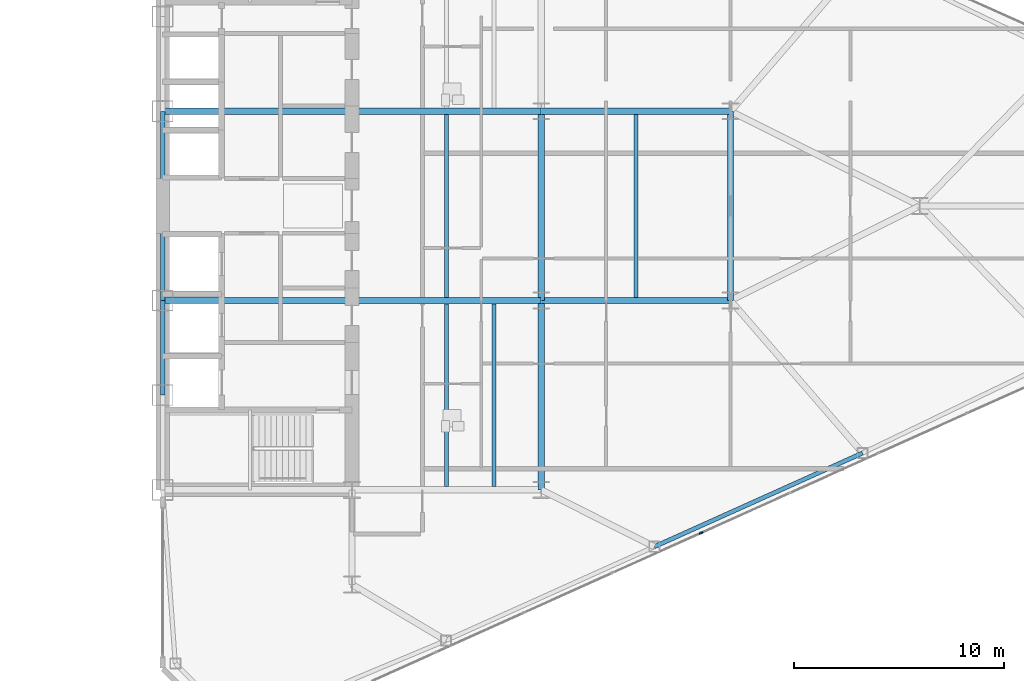
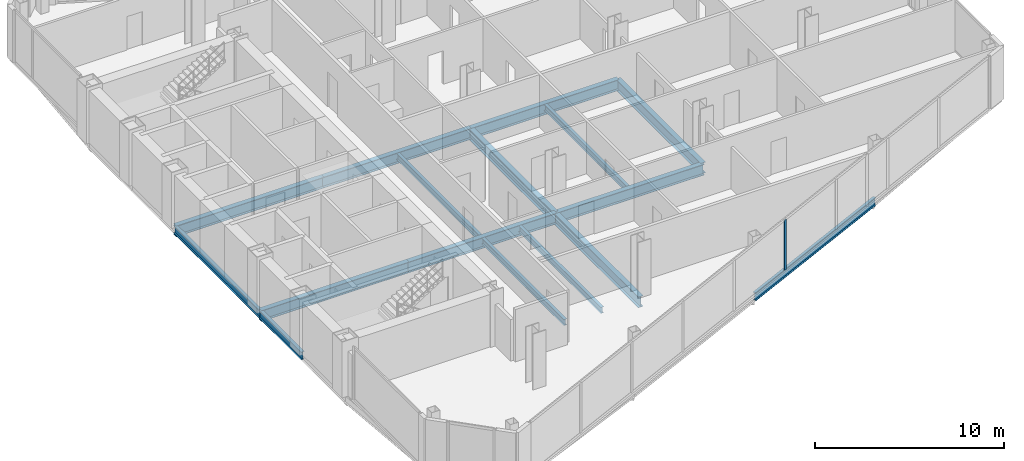
# One storey, part 12 of 27: 16 beams, 1 member, 1 element without a shape of its own.
"""IFC4 building model written with IfcOpenShell, lengths in metres."""

from ifc_helpers import new_model, si_unit, direction, frame, origin, origin_2d, place, context, subcontext, project, spatial, rectangle, i_section, extrude, source, transform, mapped, material, layer, layer_set, material_profile, profile_set, type_object, type_shapes, element, aggregate, save


model = new_model("IFC4")

# Units and contexts
model_context = context("Model", 3, precision=1e-05, world=origin(), true_north=direction((0.0, 1.0)))
body_context = subcontext(model_context, "Body", "Model", "MODEL_VIEW")
ifc_project = project(units=[si_unit("LENGTHUNIT", "METRE"), si_unit("AREAUNIT", "SQUARE_METRE"), si_unit("VOLUMEUNIT", "CUBIC_METRE"), si_unit("PLANEANGLEUNIT", "RADIAN"), si_unit("MASSUNIT", "GRAM", prefix="KILO")], contexts=[model_context])

# Site, building, storey
site_placement = place(None, origin())
site = spatial("IfcSite", under=ifc_project, at=site_placement, CompositionType="ELEMENT")
building_placement = place(site_placement, origin())
building = spatial("IfcBuilding", under=site, at=building_placement, Name="Seokmaru Belvedere", CompositionType="ELEMENT")
storey_placement = place(building_placement, frame((0.0, 0.0, 92.39990234375)))
storey = spatial("IfcBuildingStorey", under=building, at=storey_placement, Name="L24", CompositionType="ELEMENT", Elevation=92.39990234375)

# Beams
ifc_material_1 = material(Name="Steel SM355 (355 MPa)", Category="steel")
ifc_material_profile_1 = material_profile(ifc_material_1, i_section(OverallWidth=0.199951171875, OverallDepth=0.5, WebThickness=0.010009765625, FlangeThickness=0.01611328125, at=origin_2d()), Name="H-500x200x10x16")
ifc_profile_set_1 = profile_set([ifc_material_profile_1], Name="Steel SM355 (355 MPa)")
beam_type_1 = type_object("IfcBeamType", Name="Perimeter Spandrel Beam H-500", PredefinedType="SPANDREL", material=ifc_profile_set_1)
shared_shape_1 = source(origin(), body_context, "Body", "SweptSolid", [
    extrude(i_section(OverallWidth=0.199951171875, OverallDepth=0.5, WebThickness=0.010009765625, FlangeThickness=0.01611328125, at=origin_2d()), origin(), (0.0, 0.0, 1.0), 4.5),
])
beam_1_placement = place(storey_placement, frame((27.5, -9.0, -0.469970703125), z_axis=(0.0, 1.0, 0.0), x_axis=(-1.0, 0.0, 0.0)))
element("IfcBeam", 1, at=beam_1_placement, inside=storey, type_object=beam_type_1, Name="L24 E Portal Spine Spandrel 2", PredefinedType="SPANDREL", context=body_context, shape_type="MappedRepresentation", body=[
    mapped(shared_shape_1, transform((0.0, 0.0, 0.0), scale=1.0)),
])
shared_shape_2 = source(origin(), body_context, "Body", "SweptSolid", [
    extrude(i_section(OverallWidth=0.199951171875, OverallDepth=0.5, WebThickness=0.010009765625, FlangeThickness=0.01611328125, at=origin_2d()), origin(), (0.0, 0.0, 1.0), 9.0),
])
beam_2_placement = place(storey_placement, frame((27.5, -4.5, -0.469970703125), z_axis=(0.0, 1.0, 0.0), x_axis=(-1.0, 0.0, 0.0)))
element("IfcBeam", 2, at=beam_2_placement, inside=storey, type_object=beam_type_1, Name="L24 E Portal Spine Spandrel 3", PredefinedType="SPANDREL", context=body_context, shape_type="MappedRepresentation", body=[
    mapped(shared_shape_2, transform((0.0, 0.0, 0.0), scale=1.0)),
])
ifc_material_profile_2 = material_profile(ifc_material_1, i_section(OverallWidth=0.300048828125, OverallDepth=0.699951171875, WebThickness=0.012939453125, FlangeThickness=0.02392578125, at=origin_2d()), Name="H-700x300x13x24")
ifc_profile_set_2 = profile_set([ifc_material_profile_2], Name="Steel SM355 (355 MPa)")
beam_type_2 = type_object("IfcBeamType", Name="Primary Floor Girder H-700", PredefinedType="BEAM", material=ifc_profile_set_2)
shared_shape_3 = source(origin(), body_context, "Body", "SweptSolid", [
    extrude(i_section(OverallWidth=0.300048828125, OverallDepth=0.699951171875, WebThickness=0.012939453125, FlangeThickness=0.02392578125, at=origin_2d()), origin(), (0.0, 0.0, 1.0), 9.0),
])
type_shapes(beam_type_2, [shared_shape_3])
for number, where, z_axis, x_axis, name in (
    (3, (45.5, -13.5, -0.56982421875), (0.0, 1.0, 0.0), (-1.0, 0.0, 0.0), "L24 E Interior Grid Girder 1"),
    (4, (45.5, -4.5, -0.56982421875), (0.0, 1.0, 0.0), (-1.0, 0.0, 0.0), "L24 E Interior Grid Girder 2"),
    (5, (27.5, -4.5, -0.56982421875), (1.0, 0.0, 0.0), (0.0, 1.0, 0.0), "L24 E Core Tie Girder 2"),
    (6, (36.5, -4.5, -0.56982421875), (1.0, 0.0, 0.0), (0.0, 1.0, 0.0), "L24 E Wing Primary Girder 2"),
    (7, (27.5, 4.5, -0.56982421875), (1.0, 0.0, 0.0), (0.0, 1.0, 0.0), "L24 E Core Tie Girder 3"),
    (8, (36.5, 4.5, -0.56982421875), (1.0, 0.0, 0.0), (0.0, 1.0, 0.0), "L24 E Wing Primary Girder 3"),
    (9, (45.5, -4.5, -0.56982421875), (1.0, 0.0, 0.0), (0.0, 1.0, 0.0), "L24 E Outer Wing Girder 1"),
    (10, (45.5, 4.5, -0.56982421875), (1.0, 0.0, 0.0), (0.0, 1.0, 0.0), "L24 E Outer Wing Girder 2"),
    (11, (54.5, -4.5, -0.56982421875), (0.0, 1.0, 0.0), (-1.0, 0.0, 0.0), "L24 E Apex Frame Girder"),
):
    element("IfcBeam", number, at=place(storey_placement, frame(where, z_axis=z_axis, x_axis=x_axis)), inside=storey, type_object=beam_type_2, Name=name, PredefinedType="BEAM", context=body_context, shape_type="MappedRepresentation", body=[
        mapped(shared_shape_3, transform((0.0, 0.0, 0.0), scale=1.0)),
    ])
ifc_material_profile_3 = material_profile(ifc_material_1, i_section(OverallWidth=0.18505859375, OverallDepth=0.389892578125, WebThickness=0.008056640625, FlangeThickness=0.011962890625, at=origin_2d()), Name="H-390x185x8x12")
ifc_profile_set_3 = profile_set([ifc_material_profile_3], Name="Steel SM355 (355 MPa)")
beam_type_3 = type_object("IfcBeamType", Name="Secondary Floor Joist H-350", PredefinedType="JOIST", material=ifc_profile_set_3)
shared_shape_4 = source(origin(), body_context, "Body", "SweptSolid", [
    extrude(i_section(OverallWidth=0.18505859375, OverallDepth=0.389892578125, WebThickness=0.008056640625, FlangeThickness=0.011962890625, at=origin_2d()), origin(), (0.0, 0.0, 1.0), 8.68994140625),
])
type_shapes(beam_type_3, [shared_shape_4])
for number, where, z_axis, x_axis, name in (
    (12, (43.25, -13.344970703125, -0.414794921875), (0.0, 1.0, 0.0), (-1.0, 0.0, 0.0), "L24 E Wing Inner Secondary Joist 1"),
    (13, (41.0, -13.344970703125, -0.414794921875), (0.0, 1.0, 0.0), (-1.0, 0.0, 0.0), "L24 E Secondary Floor Joist 1"),
    (14, (41.0, -4.344970703125, -0.414794921875), (0.0, 1.0, 0.0), (-1.0, 0.0, 0.0), "L24 E Secondary Floor Joist 2"),
    (15, (50.0, -4.344970703125, -0.414794921875), (0.0, 1.0, 0.0), (-1.0, 0.0, 0.0), "L24 E Outer Bay Secondary Joist"),
):
    element("IfcBeam", number, at=place(storey_placement, frame(where, z_axis=z_axis, x_axis=x_axis)), inside=storey, type_object=beam_type_3, Name=name, PredefinedType="JOIST", context=body_context, shape_type="MappedRepresentation", body=[
        mapped(shared_shape_4, transform((0.0, 0.0, 0.0), scale=1.0)),
    ])
shared_shape_5 = source(origin(), body_context, "Body", "SweptSolid", [
    extrude(i_section(OverallWidth=0.199951171875, OverallDepth=0.5, WebThickness=0.010009765625, FlangeThickness=0.01611328125, at=origin_2d()), origin(), (0.0, 0.0, 1.0), 10.85888671875),
])
type_shapes(beam_type_1, [shared_shape_1, shared_shape_2, shared_shape_5])
beam_3_placement = place(storey_placement, frame((50.875, -16.205322265625, -0.469970703125), z_axis=(0.911925291223, 0.410356263785, 0.0), x_axis=(-0.410356263785, 0.911925291223, 0.0)))
element("IfcBeam", 16, at=beam_3_placement, inside=storey, type_object=beam_type_1, Name="L24 E Faceted Flank Spandrel S-3", PredefinedType="SPANDREL", context=body_context, shape_type="MappedRepresentation", body=[
    mapped(shared_shape_5, transform((0.0, 0.0, 0.0), scale=1.0)),
])

# Curtain wall, member
ifc_material_2 = material(Name="Bronze Triple Insulating Glass", Category="glass")
ifc_layer = layer(ifc_material_2, 0.195068359375)
ifc_layer_set = layer_set([ifc_layer], Name="Bronze Triple Insulating Glass")
curtain_wall_type = type_object("IfcCurtainWallType", Name="Lower-Mid Tapered Curtain Wall System CW-3", PredefinedType="NOTDEFINED", material=ifc_layer_set)
curtain_wall_placement = place(storey_placement, origin())
curtain_wall = element("IfcCurtainWall", 17, at=curtain_wall_placement, inside=storey, type_object=curtain_wall_type, Name="L24 Curtain Wall EF1", PredefinedType="NOTDEFINED")
ifc_material_3 = material(Name="Anodised Bronze Aluminium", Category="aluminium")
ifc_material_profile_4 = material_profile(ifc_material_3, rectangle(XDim=0.070068359375, YDim=0.195068359375, at=origin_2d()), Name="CW-M-70x195")
ifc_profile_set_4 = profile_set([ifc_material_profile_4], Name="Anodised Bronze Aluminium")
member_type = type_object("IfcMemberType", Name="Bronze Unitised Mullion 70x195", PredefinedType="MULLION", material=ifc_profile_set_4)
shared_shape_6 = source(origin(), body_context, "Body", "SweptSolid", [
    extrude(rectangle(XDim=0.070068359375, YDim=0.195068359375, at=origin_2d()), origin(), (0.0, 0.0, 1.0), 3.239990234375),
])
type_shapes(member_type, [shared_shape_6])
member_placement = place(storey_placement, frame((53.105712890625, -15.552490234375, 0.070068359375), z_axis=(0.0, 0.0, 1.0), x_axis=(-0.41036554765, 0.91192111353, 0.0)))
member = element("IfcMember", 18, at=member_placement, type_object=member_type, Name="CW:L24:EF1 Mullion 6", PredefinedType="MULLION", context=body_context, shape_type="MappedRepresentation", body=[
    mapped(shared_shape_6, transform((0.0, 0.0, 0.0), scale=1.0)),
])
aggregate(curtain_wall, [member])

save(model, "model.ifc")
